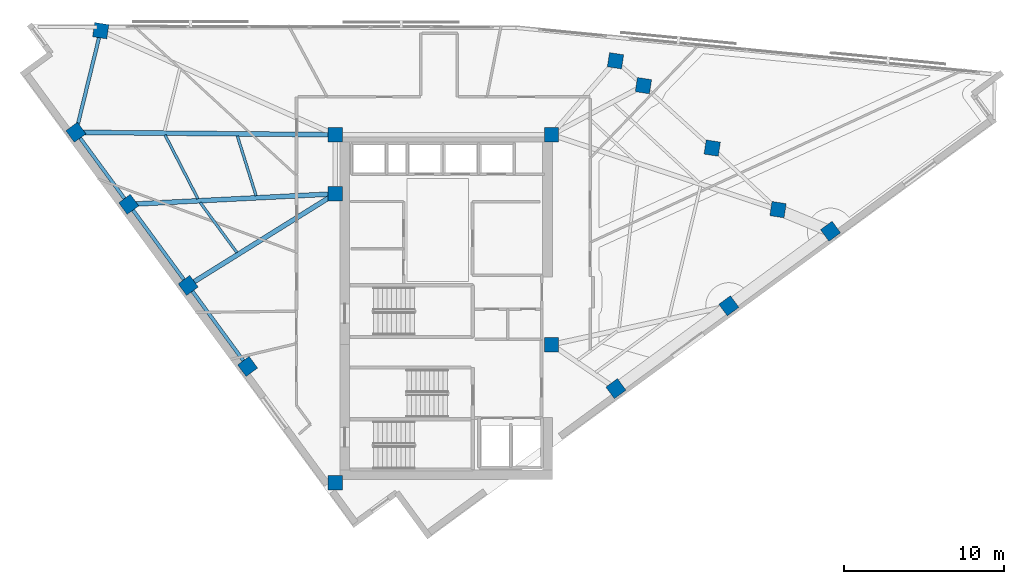
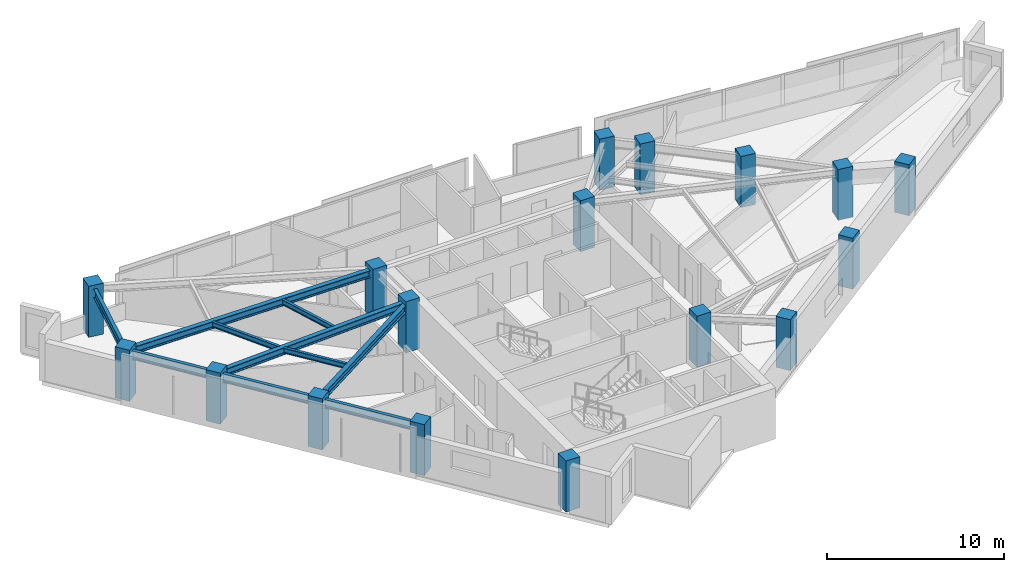
# One storey, part 1 of 13: 17 columns, 10 beams.
"""IFC4 building model written with IfcOpenShell, lengths in metres."""

from ifc_helpers import new_model, si_unit, direction, frame, origin, origin_2d, place, context, subcontext, project, spatial, rectangle, i_section, extrude, material, material_profile, profile_set, type_object, element, save


model = new_model("IFC4")

# Units and contexts
model_context = context("Model", 3, precision=1e-05, world=origin(), true_north=direction((0.0, 1.0)))
body_context = subcontext(model_context, "Body", "Model", "MODEL_VIEW")
ifc_project = project(units=[si_unit("LENGTHUNIT", "METRE"), si_unit("AREAUNIT", "SQUARE_METRE"), si_unit("VOLUMEUNIT", "CUBIC_METRE"), si_unit("PLANEANGLEUNIT", "RADIAN"), si_unit("MASSUNIT", "GRAM", prefix="KILO")], contexts=[model_context])

# Site, building, storey
site_placement = place(None, origin())
site = spatial("IfcSite", under=ifc_project, at=site_placement, CompositionType="ELEMENT")
building_placement = place(site_placement, origin())
building = spatial("IfcBuilding", under=site, at=building_placement, Name="Narakoshi Arena Tower", CompositionType="ELEMENT")
storey_placement = place(building_placement, frame((0.0, 0.0, 239.6201171875)))
storey = spatial("IfcBuildingStorey", under=building, at=storey_placement, Name="L65", CompositionType="ELEMENT", Elevation=239.6201171875)

# Columns
ifc_material_1 = material(Name="Concrete C50/60", Category="concrete")
ifc_material_profile_1 = material_profile(ifc_material_1, rectangle(XDim=0.89990234375, YDim=0.89990234375, at=origin_2d()), Name="RC900x900")
ifc_profile_set_1 = profile_set([ifc_material_profile_1], Name="Concrete C50/60")
column_type = type_object("IfcColumnType", Name="COL-RC900", PredefinedType="COLUMN", material=ifc_profile_set_1)
for number, where, z_axis, x_axis, name in (
    (1, (72.0, 34.699951171875, 0.0), (0.0, 0.0, 1.0), (1.0, 0.0, 0.0), "L65 Core Structural Column CC1"),
    (2, (85.550048828125, 43.35009765625, 0.0), (0.0, 0.0, 1.0), (1.0, 0.0, 0.0), "L65 Core Structural Column CC3"),
    (3, (72.0, 52.800048828125, 0.0), (0.0, 0.0, 1.0), (1.0, 0.0, 0.0), "L65 Core Structural Column CC4"),
    (4, (72.0, 56.5, 0.0), (0.0, 0.0, 1.0), (1.0, 0.0, 0.0), "L65 Core Structural Column CC5"),
    (5, (85.550048828125, 56.5, 0.0), (0.0, 0.0, 1.0), (1.0, 0.0, 0.0), "L65 Core Structural Column CC6"),
    (6, (89.58642578125, 40.594482421875, 0.0), (0.0, 0.0, 1.0), (0.806444604267, 0.591309648364, 0.0), "L65 Tower Perimeter Column TC01"),
    (7, (96.663330078125, 45.783447265625, 0.0), (0.0, 0.0, 1.0), (0.806444604267, 0.591309648364, 0.0), "L65 Tower Perimeter Column TC02"),
    (8, (103.032470703125, 50.45361328125, 0.0), (0.0, 0.0, 1.0), (0.806444604267, 0.591309648364, 0.0), "L65 Tower Perimeter Column TC03"),
    (9, (99.74267578125, 51.80712890625, 0.0), (0.0, 0.0, 1.0), (0.15212338619, 0.988361510468, 0.0), "L65 Tower Perimeter Column TC05"),
    (10, (95.619384765625, 55.665283203125, 0.0), (0.0, 0.0, 1.0), (0.15212338619, 0.988361510468, 0.0), "L65 Tower Perimeter Column TC06"),
    (11, (91.311279296875, 59.576416015625, 0.0), (0.0, 0.0, 1.0), (0.15212338619, 0.988361510468, 0.0), "L65 Tower Perimeter Column TC07"),
    (12, (89.5615234375, 61.134765625, 0.0), (0.0, 0.0, 1.0), (0.15212338619, 0.988361510468, 0.0), "L65 Tower Perimeter Column TC08"),
    (13, (57.30908203125, 63.0205078125, 0.0), (0.0, 0.0, 1.0), (0.15212338619, 0.988361510468, 0.0), "L65 Tower Perimeter Column TC10"),
    (14, (55.75341796875, 56.654296875, 0.0), (0.0, 0.0, 1.0), (-0.591309648364, 0.806444604267, 0.0), "L65 Tower Perimeter Column TC13"),
    (15, (59.063232421875, 52.140380859375, 0.0), (0.0, 0.0, 1.0), (-0.591309648364, 0.806444604267, 0.0), "L65 Tower Perimeter Column TC14"),
    (16, (62.786865234375, 47.061767578125, 0.0), (0.0, 0.0, 1.0), (-0.591309648364, 0.806444604267, 0.0), "L65 Tower Perimeter Column TC15"),
    (17, (66.510498046875, 41.9833984375, 0.0), (0.0, 0.0, 1.0), (-0.591309648364, 0.806444604267, 0.0), "L65 Tower Perimeter Column TC16"),
):
    element("IfcColumn", number, at=place(storey_placement, frame(where, z_axis=z_axis, x_axis=x_axis)), inside=storey, type_object=column_type, Name=name, PredefinedType="COLUMN", context=body_context, shape_type="SweptSolid", body=[
        extrude(rectangle(XDim=0.89990234375, YDim=0.89990234375, at=origin_2d()), origin(), (0.0, 0.0, 1.0), 3.519775390625),
    ])

# Beams
ifc_material_2 = material(Name="Structural steel S355J2", Category="steel")
ifc_material_profile_2 = material_profile(ifc_material_2, i_section(OverallWidth=0.219970703125, OverallDepth=0.60009765625, WebThickness=0.011962890625, FlangeThickness=0.01904296875, FilletRadius=0.02392578125, at=origin_2d()), Name="IPE600")
ifc_profile_set_2 = profile_set([ifc_material_profile_2], Name="Structural steel S355J2")
beam_type_1 = type_object("IfcBeamType", Name="BM-EDGE-600", PredefinedType="BEAM", material=ifc_profile_set_2)
beam_1_placement = place(storey_placement, frame((57.30908203125, 63.0205078125, 2.9599609375), z_axis=(-0.237378097084, -0.971417335147, 0.0), x_axis=(0.971417335147, -0.237378097084, 0.0)))
element("IfcBeam", 18, at=beam_1_placement, inside=storey, type_object=beam_type_1, Name="L65 Perimeter Edge Girder 08", PredefinedType="BEAM", context=body_context, shape_type="SweptSolid", body=[
    extrude(i_section(OverallWidth=0.219970703125, OverallDepth=0.60009765625, WebThickness=0.011962890625, FlangeThickness=0.01904296875, FilletRadius=0.02392578125, at=origin_2d()), origin(), (0.0, 0.0, 1.0), 6.553466796875),
])
beam_2_placement = place(storey_placement, frame((55.75341796875, 56.654296875, 2.9599609375), z_axis=(0.591318280641, -0.806438274749, 0.0), x_axis=(0.806438274749, 0.591318280641, 0.0)))
element("IfcBeam", 19, at=beam_2_placement, inside=storey, type_object=beam_type_1, Name="L65 Perimeter Edge Girder 09", PredefinedType="BEAM", context=body_context, shape_type="SweptSolid", body=[
    extrude(i_section(OverallWidth=0.219970703125, OverallDepth=0.60009765625, WebThickness=0.011962890625, FlangeThickness=0.01904296875, FilletRadius=0.02392578125, at=origin_2d()), origin(), (0.0, 0.0, 1.0), 5.597412109375),
])
for number, where, z_axis, x_axis, name in (
    (20, (59.063232421875, 52.140380859375, 2.9599609375), (0.591293071807, -0.80645675844, 0.0), (0.80645675844, 0.591293071807, 0.0), "L65 Perimeter Edge Girder 10"),
    (21, (62.786865234375, 47.061767578125, 2.9599609375), (0.59131155895, -0.806443203364, 0.0), (0.806443203364, 0.59131155895, 0.0), "L65 Perimeter Edge Girder 11"),
):
    element("IfcBeam", number, at=place(storey_placement, frame(where, z_axis=z_axis, x_axis=x_axis)), inside=storey, type_object=beam_type_1, Name=name, PredefinedType="BEAM", context=body_context, shape_type="SweptSolid", body=[
        extrude(i_section(OverallWidth=0.219970703125, OverallDepth=0.60009765625, WebThickness=0.011962890625, FlangeThickness=0.01904296875, FilletRadius=0.02392578125, at=origin_2d()), origin(), (0.0, 0.0, 1.0), 6.29736328125),
    ])
ifc_material_profile_3 = material_profile(ifc_material_2, i_section(OverallWidth=0.300048828125, OverallDepth=0.5, WebThickness=0.014404296875, FlangeThickness=0.028076171875, FilletRadius=0.027099609375, at=origin_2d()), Name="HE500B")
ifc_profile_set_3 = profile_set([ifc_material_profile_3], Name="Structural steel S355J2")
beam_type_2 = type_object("IfcBeamType", Name="BM-PRI-500", PredefinedType="BEAM", material=ifc_profile_set_3)
beam_3_placement = place(storey_placement, frame((72.0, 56.5, 3.009765625), z_axis=(-0.999954904742, 0.009496761636, 0.0), x_axis=(-0.009496761636, -0.999954904742, 0.0)))
element("IfcBeam", 22, at=beam_3_placement, inside=storey, type_object=beam_type_2, Name="L65 Radial Primary Floor Girder 09", PredefinedType="BEAM", context=body_context, shape_type="SweptSolid", body=[
    extrude(i_section(OverallWidth=0.300048828125, OverallDepth=0.5, WebThickness=0.014404296875, FlangeThickness=0.028076171875, FilletRadius=0.027099609375, at=origin_2d()), origin(), (0.0, 0.0, 1.0), 16.247314453125),
])
beam_4_placement = place(storey_placement, frame((72.0, 52.800048828125, 3.009765625), z_axis=(-0.998702452309, -0.050925551079, 0.0), x_axis=(0.050925551079, -0.998702452309, 0.0)))
element("IfcBeam", 23, at=beam_4_placement, inside=storey, type_object=beam_type_2, Name="L65 Radial Primary Floor Girder 10", PredefinedType="BEAM", context=body_context, shape_type="SweptSolid", body=[
    extrude(i_section(OverallWidth=0.300048828125, OverallDepth=0.5, WebThickness=0.014404296875, FlangeThickness=0.028076171875, FilletRadius=0.027099609375, at=origin_2d()), origin(), (0.0, 0.0, 1.0), 12.95361328125),
])
beam_5_placement = place(storey_placement, frame((72.0, 52.800048828125, 3.009765625), z_axis=(-0.848822444764, -0.528678027976, 0.0), x_axis=(0.528678027976, -0.848822444764, 0.0)))
element("IfcBeam", 24, at=beam_5_placement, inside=storey, type_object=beam_type_2, Name="L65 Radial Primary Floor Girder 11", PredefinedType="BEAM", context=body_context, shape_type="SweptSolid", body=[
    extrude(i_section(OverallWidth=0.300048828125, OverallDepth=0.5, WebThickness=0.014404296875, FlangeThickness=0.028076171875, FilletRadius=0.027099609375, at=origin_2d()), origin(), (0.0, 0.0, 1.0), 10.85400390625),
])
ifc_material_profile_4 = material_profile(ifc_material_2, i_section(OverallWidth=0.169921875, OverallDepth=0.360107421875, WebThickness=0.008056640625, FlangeThickness=0.0126953125, FilletRadius=0.01806640625, at=origin_2d()), Name="IPE360")
ifc_profile_set_4 = profile_set([ifc_material_profile_4], Name="Structural steel S355J2")
beam_type_3 = type_object("IfcBeamType", Name="BM-SEC-360", PredefinedType="JOIST", material=ifc_profile_set_4)
beam_6_placement = place(storey_placement, frame((65.86669921875, 56.429931640625, 3.079833984375), z_axis=(0.299321233249, -0.954152398376, 0.0), x_axis=(0.954152398376, 0.299321233249, 0.0)))
element("IfcBeam", 25, at=beam_6_placement, inside=storey, type_object=beam_type_3, Name="L65 Composite Secondary Floor Joist 08", PredefinedType="JOIST", context=body_context, shape_type="SweptSolid", body=[
    extrude(i_section(OverallWidth=0.169921875, OverallDepth=0.360107421875, WebThickness=0.008056640625, FlangeThickness=0.0126953125, FilletRadius=0.01806640625, at=origin_2d()), origin(), (0.0, 0.0, 1.0), 3.93212890625),
])
beam_7_placement = place(storey_placement, frame((61.339111328125, 56.48193359375, 3.079833984375), z_axis=(0.458232175947, -0.888832533679, 0.0), x_axis=(0.888832533679, 0.458232175947, 0.0)))
element("IfcBeam", 26, at=beam_7_placement, inside=storey, type_object=beam_type_3, Name="L65 Composite Secondary Floor Joist 09", PredefinedType="JOIST", context=body_context, shape_type="SweptSolid", body=[
    extrude(i_section(OverallWidth=0.169921875, OverallDepth=0.360107421875, WebThickness=0.008056640625, FlangeThickness=0.0126953125, FilletRadius=0.01806640625, at=origin_2d()), origin(), (0.0, 0.0, 1.0), 4.497314453125),
])
beam_8_placement = place(storey_placement, frame((63.54150390625, 52.255615234375, 3.079833984375), z_axis=(0.591330981868, -0.806428961461, 0.0), x_axis=(0.806428961461, 0.591330981868, 0.0)))
element("IfcBeam", 27, at=beam_8_placement, inside=storey, type_object=beam_type_3, Name="L65 Composite Secondary Floor Joist 10", PredefinedType="JOIST", context=body_context, shape_type="SweptSolid", body=[
    extrude(i_section(OverallWidth=0.169921875, OverallDepth=0.360107421875, WebThickness=0.008056640625, FlangeThickness=0.0126953125, FilletRadius=0.01806640625, at=origin_2d()), origin(), (0.0, 0.0, 1.0), 3.88623046875),
])

save(model, "model.ifc")
